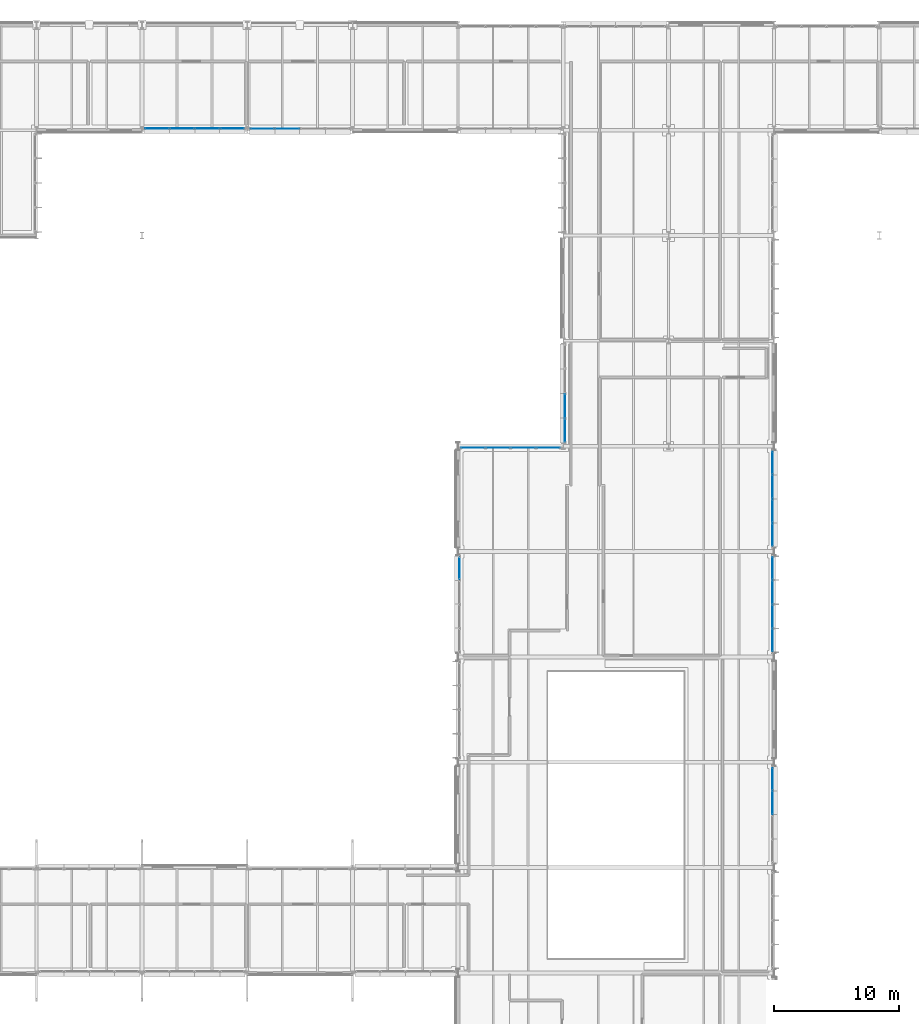
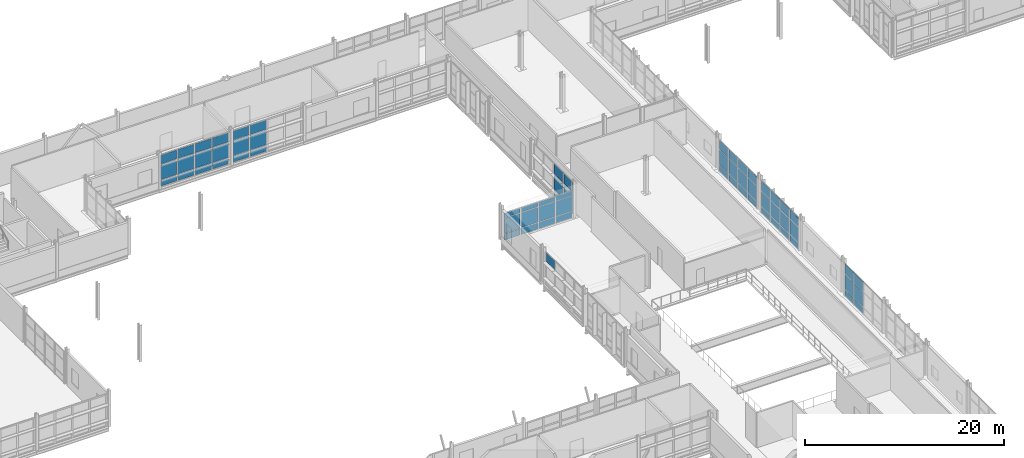
# One storey, part 86 of 129: 67 plates, 8 elements without a shape of their own.
"""IFC4 building model written with IfcOpenShell, lengths in metres."""

from ifc_helpers import new_model, si_unit, direction, frame, origin, origin_2d, place, context, subcontext, project, spatial, rectangle, extrude, material, layer, layer_set, type_object, element, aggregate, save


model = new_model("IFC4")

# Units and contexts
model_context = context("Model", 3, precision=1e-05, world=origin(), true_north=direction((0.0, 1.0)))
body_context = subcontext(model_context, "Body", "Model", "MODEL_VIEW")
ifc_project = project(units=[si_unit("LENGTHUNIT", "METRE"), si_unit("AREAUNIT", "SQUARE_METRE"), si_unit("VOLUMEUNIT", "CUBIC_METRE"), si_unit("PLANEANGLEUNIT", "RADIAN"), si_unit("MASSUNIT", "GRAM", prefix="KILO")], contexts=[model_context])

# Site, building, storey
site_placement = place(None, origin())
site = spatial("IfcSite", under=ifc_project, at=site_placement, CompositionType="ELEMENT")
building_placement = place(site_placement, origin())
building = spatial("IfcBuilding", under=site, at=building_placement, Name="Mersafa Astral City Hall", CompositionType="ELEMENT")
storey_placement = place(building_placement, frame((0.0, 0.0, 5.39990234375)))
storey = spatial("IfcBuildingStorey", under=building, at=storey_placement, Name="L01", CompositionType="ELEMENT", Elevation=5.39990234375)

# Curtain wall, plates
ifc_material_1 = material(Name="Anodised bronze aluminium framing", Category="aluminium")
curtain_wall_type_1 = type_object("IfcCurtainWallType", Name="ENV-CW-3", PredefinedType="USERDEFINED", material=ifc_material_1)
curtain_wall_1_placement = place(storey_placement, origin())
curtain_wall_1 = element("IfcCurtainWall", 1, at=curtain_wall_1_placement, inside=storey, type_object=curtain_wall_type_1, Name="L01 Unitised solar curtain wall 56", ObjectType="UNITISED CURTAIN WALL", PredefinedType="USERDEFINED")
ifc_material_2 = material(Name="Solar control low-e double glazing", Category="glass")
ifc_layer_1 = layer(ifc_material_2, 0.028076171875, Name="Solar control low-e double glazing")
ifc_layer_set_1 = layer_set([ifc_layer_1], Name="Solar control low-e double glazing — ENV-CW-PNL-GLZ-1")
plate_type_1 = type_object("IfcPlateType", Name="ENV-CW-PNL-GLZ-1", PredefinedType="CURTAIN_PANEL", material=ifc_layer_set_1)
plate_1_placement = place(storey_placement, frame((117.47998046875, 76.932861328125, 0.05810546875), z_axis=(0.0, 0.0, 1.0), x_axis=(0.0, 1.0, 0.0)))
plate_1 = element("IfcPlate", 2, at=plate_1_placement, type_object=plate_type_1, Name="CW-3 panel 1.1", PredefinedType="CURTAIN_PANEL", context=body_context, shape_type="SweptSolid", body=[
    extrude(rectangle(XDim=1.75146484375, YDim=0.028076171875, at=origin_2d()), origin(), (0.0, 0.0, 1.0), 0.761962890625),
])
plate_2_placement = place(storey_placement, frame((117.47998046875, 76.932861328125, 0.8798828125), z_axis=(0.0, 0.0, 1.0), x_axis=(0.0, 1.0, 0.0)))
plate_2 = element("IfcPlate", 3, at=plate_2_placement, type_object=plate_type_1, Name="CW-3 panel 1.2", PredefinedType="CURTAIN_PANEL", context=body_context, shape_type="SweptSolid", body=[
    extrude(rectangle(XDim=1.75146484375, YDim=0.028076171875, at=origin_2d()), origin(), (0.0, 0.0, 1.0), 1.840087890625),
])
plate_3_placement = place(storey_placement, frame((117.47998046875, 76.932861328125, 2.780029296875), z_axis=(0.0, 0.0, 1.0), x_axis=(0.0, 1.0, 0.0)))
plate_3 = element("IfcPlate", 4, at=plate_3_placement, type_object=plate_type_1, Name="CW-3 panel 1.3", PredefinedType="CURTAIN_PANEL", context=body_context, shape_type="SweptSolid", body=[
    extrude(rectangle(XDim=1.75146484375, YDim=0.028076171875, at=origin_2d()), origin(), (0.0, 0.0, 1.0), 1.18701171875),
])
plate_4_placement = place(storey_placement, frame((117.47998046875, 78.834228515625, 0.05810546875), z_axis=(0.0, 0.0, 1.0), x_axis=(0.0, 1.0, 0.0)))
plate_4 = element("IfcPlate", 5, at=plate_4_placement, type_object=plate_type_1, Name="CW-3 panel 2.1", PredefinedType="CURTAIN_PANEL", context=body_context, shape_type="SweptSolid", body=[
    extrude(rectangle(XDim=1.8115234375, YDim=0.028076171875, at=origin_2d()), origin(), (0.0, 0.0, 1.0), 0.761962890625),
])
plate_5_placement = place(storey_placement, frame((117.47998046875, 78.834228515625, 0.8798828125), z_axis=(0.0, 0.0, 1.0), x_axis=(0.0, 1.0, 0.0)))
plate_5 = element("IfcPlate", 6, at=plate_5_placement, type_object=plate_type_1, Name="CW-3 panel 2.2", PredefinedType="CURTAIN_PANEL", context=body_context, shape_type="SweptSolid", body=[
    extrude(rectangle(XDim=1.8115234375, YDim=0.028076171875, at=origin_2d()), origin(), (0.0, 0.0, 1.0), 1.840087890625),
])
plate_6_placement = place(storey_placement, frame((117.47998046875, 78.834228515625, 2.780029296875), z_axis=(0.0, 0.0, 1.0), x_axis=(0.0, 1.0, 0.0)))
plate_6 = element("IfcPlate", 7, at=plate_6_placement, type_object=plate_type_1, Name="CW-3 panel 2.3", PredefinedType="CURTAIN_PANEL", context=body_context, shape_type="SweptSolid", body=[
    extrude(rectangle(XDim=1.8115234375, YDim=0.028076171875, at=origin_2d()), origin(), (0.0, 0.0, 1.0), 1.18701171875),
])
plate_7_placement = place(storey_placement, frame((117.47998046875, 80.765869140625, 0.05810546875), z_axis=(0.0, 0.0, 1.0), x_axis=(0.0, 1.0, 0.0)))
plate_7 = element("IfcPlate", 8, at=plate_7_placement, type_object=plate_type_1, Name="CW-3 panel 3.1", PredefinedType="CURTAIN_PANEL", context=body_context, shape_type="SweptSolid", body=[
    extrude(rectangle(XDim=1.8115234375, YDim=0.028076171875, at=origin_2d()), origin(), (0.0, 0.0, 1.0), 0.761962890625),
])
plate_8_placement = place(storey_placement, frame((117.47998046875, 80.765869140625, 0.8798828125), z_axis=(0.0, 0.0, 1.0), x_axis=(0.0, 1.0, 0.0)))
plate_8 = element("IfcPlate", 9, at=plate_8_placement, type_object=plate_type_1, Name="CW-3 panel 3.2", PredefinedType="CURTAIN_PANEL", context=body_context, shape_type="SweptSolid", body=[
    extrude(rectangle(XDim=1.8115234375, YDim=0.028076171875, at=origin_2d()), origin(), (0.0, 0.0, 1.0), 1.840087890625),
])
plate_9_placement = place(storey_placement, frame((117.47998046875, 80.765869140625, 2.780029296875), z_axis=(0.0, 0.0, 1.0), x_axis=(0.0, 1.0, 0.0)))
plate_9 = element("IfcPlate", 10, at=plate_9_placement, type_object=plate_type_1, Name="CW-3 panel 3.3", PredefinedType="CURTAIN_PANEL", context=body_context, shape_type="SweptSolid", body=[
    extrude(rectangle(XDim=1.8115234375, YDim=0.028076171875, at=origin_2d()), origin(), (0.0, 0.0, 1.0), 1.18701171875),
])
plate_10_placement = place(storey_placement, frame((117.47998046875, 82.667236328125, 0.05810546875), z_axis=(0.0, 0.0, 1.0), x_axis=(0.0, 1.0, 0.0)))
plate_10 = element("IfcPlate", 11, at=plate_10_placement, type_object=plate_type_1, Name="CW-3 panel 4.1", PredefinedType="CURTAIN_PANEL", context=body_context, shape_type="SweptSolid", body=[
    extrude(rectangle(XDim=1.75146484375, YDim=0.028076171875, at=origin_2d()), origin(), (0.0, 0.0, 1.0), 0.761962890625),
])
plate_11_placement = place(storey_placement, frame((117.47998046875, 82.667236328125, 0.8798828125), z_axis=(0.0, 0.0, 1.0), x_axis=(0.0, 1.0, 0.0)))
plate_11 = element("IfcPlate", 12, at=plate_11_placement, type_object=plate_type_1, Name="CW-3 panel 4.2", PredefinedType="CURTAIN_PANEL", context=body_context, shape_type="SweptSolid", body=[
    extrude(rectangle(XDim=1.75146484375, YDim=0.028076171875, at=origin_2d()), origin(), (0.0, 0.0, 1.0), 1.840087890625),
])
plate_12_placement = place(storey_placement, frame((117.47998046875, 82.667236328125, 2.780029296875), z_axis=(0.0, 0.0, 1.0), x_axis=(0.0, 1.0, 0.0)))
plate_12 = element("IfcPlate", 13, at=plate_12_placement, type_object=plate_type_1, Name="CW-3 panel 4.3", PredefinedType="CURTAIN_PANEL", context=body_context, shape_type="SweptSolid", body=[
    extrude(rectangle(XDim=1.75146484375, YDim=0.028076171875, at=origin_2d()), origin(), (0.0, 0.0, 1.0), 1.18701171875),
])
aggregate(curtain_wall_1, [plate_1, plate_2, plate_3, plate_4, plate_5, plate_6, plate_7, plate_8, plate_9, plate_10, plate_11, plate_12])

curtain_wall_type_2 = type_object("IfcCurtainWallType", Name="ENV-CW-5", PredefinedType="USERDEFINED", material=ifc_material_1)
curtain_wall_2_placement = place(storey_placement, origin())
curtain_wall_2 = element("IfcCurtainWall", 14, at=curtain_wall_2_placement, inside=storey, type_object=curtain_wall_type_2, Name="L01 Unitised solar curtain wall 88", ObjectType="UNITISED CURTAIN WALL", PredefinedType="USERDEFINED")
plate_13_placement = place(storey_placement, frame((76.801513671875, 117.719970703125, 0.05810546875), z_axis=(0.0, 0.0, 1.0), x_axis=(1.0, 0.0, 0.0)))
plate_13 = element("IfcPlate", 15, at=plate_13_placement, type_object=plate_type_1, Name="CW-5 panel 1.1", PredefinedType="CURTAIN_PANEL", context=body_context, shape_type="SweptSolid", body=[
    extrude(rectangle(XDim=1.839111328125, YDim=0.028076171875, at=origin_2d()), origin(), (0.0, 0.0, 1.0), 0.761962890625),
])
plate_14_placement = place(storey_placement, frame((76.801513671875, 117.719970703125, 0.8798828125), z_axis=(0.0, 0.0, 1.0), x_axis=(1.0, 0.0, 0.0)))
plate_14 = element("IfcPlate", 16, at=plate_14_placement, type_object=plate_type_1, Name="CW-5 panel 1.2", PredefinedType="CURTAIN_PANEL", context=body_context, shape_type="SweptSolid", body=[
    extrude(rectangle(XDim=1.839111328125, YDim=0.028076171875, at=origin_2d()), origin(), (0.0, 0.0, 1.0), 1.840087890625),
])
plate_15_placement = place(storey_placement, frame((76.801513671875, 117.719970703125, 2.780029296875), z_axis=(0.0, 0.0, 1.0), x_axis=(1.0, 0.0, 0.0)))
plate_15 = element("IfcPlate", 17, at=plate_15_placement, type_object=plate_type_1, Name="CW-5 panel 1.3", PredefinedType="CURTAIN_PANEL", context=body_context, shape_type="SweptSolid", body=[
    extrude(rectangle(XDim=1.839111328125, YDim=0.028076171875, at=origin_2d()), origin(), (0.0, 0.0, 1.0), 1.126953125),
])
plate_16_placement = place(storey_placement, frame((78.79052734375, 117.719970703125, 0.05810546875), z_axis=(0.0, 0.0, 1.0), x_axis=(1.0, 0.0, 0.0)))
plate_16 = element("IfcPlate", 18, at=plate_16_placement, type_object=plate_type_1, Name="CW-5 panel 2.1", PredefinedType="CURTAIN_PANEL", context=body_context, shape_type="SweptSolid", body=[
    extrude(rectangle(XDim=1.89892578125, YDim=0.028076171875, at=origin_2d()), origin(), (0.0, 0.0, 1.0), 0.761962890625),
])
plate_17_placement = place(storey_placement, frame((78.79052734375, 117.719970703125, 0.8798828125), z_axis=(0.0, 0.0, 1.0), x_axis=(1.0, 0.0, 0.0)))
plate_17 = element("IfcPlate", 19, at=plate_17_placement, type_object=plate_type_1, Name="CW-5 panel 2.2", PredefinedType="CURTAIN_PANEL", context=body_context, shape_type="SweptSolid", body=[
    extrude(rectangle(XDim=1.89892578125, YDim=0.028076171875, at=origin_2d()), origin(), (0.0, 0.0, 1.0), 1.840087890625),
])
plate_18_placement = place(storey_placement, frame((78.79052734375, 117.719970703125, 2.780029296875), z_axis=(0.0, 0.0, 1.0), x_axis=(1.0, 0.0, 0.0)))
plate_18 = element("IfcPlate", 20, at=plate_18_placement, type_object=plate_type_1, Name="CW-5 panel 2.3", PredefinedType="CURTAIN_PANEL", context=body_context, shape_type="SweptSolid", body=[
    extrude(rectangle(XDim=1.89892578125, YDim=0.028076171875, at=origin_2d()), origin(), (0.0, 0.0, 1.0), 1.126953125),
])
aggregate(curtain_wall_2, [plate_13, plate_14, plate_15, plate_16, plate_17, plate_18])

curtain_wall_3_placement = place(storey_placement, origin())
curtain_wall_3 = element("IfcCurtainWall", 21, at=curtain_wall_3_placement, inside=storey, type_object=curtain_wall_type_1, Name="L01 Unitised solar curtain wall 92", ObjectType="UNITISED CURTAIN WALL", PredefinedType="USERDEFINED")
plate_19_placement = place(storey_placement, frame((99.598388671875, 92.280029296875, 0.05810546875), z_axis=(0.0, 0.0, 1.0), x_axis=(-1.0, 0.0, 0.0)))
plate_19 = element("IfcPlate", 22, at=plate_19_placement, type_object=plate_type_1, Name="CW-3 panel 1.1", PredefinedType="CURTAIN_PANEL", context=body_context, shape_type="SweptSolid", body=[
    extrude(rectangle(XDim=1.839111328125, YDim=0.028076171875, at=origin_2d()), origin(), (0.0, 0.0, 1.0), 0.761962890625),
])
plate_20_placement = place(storey_placement, frame((99.598388671875, 92.280029296875, 0.8798828125), z_axis=(0.0, 0.0, 1.0), x_axis=(-1.0, 0.0, 0.0)))
plate_20 = element("IfcPlate", 23, at=plate_20_placement, type_object=plate_type_1, Name="CW-3 panel 1.2", PredefinedType="CURTAIN_PANEL", context=body_context, shape_type="SweptSolid", body=[
    extrude(rectangle(XDim=1.839111328125, YDim=0.028076171875, at=origin_2d()), origin(), (0.0, 0.0, 1.0), 1.840087890625),
])
plate_21_placement = place(storey_placement, frame((99.598388671875, 92.280029296875, 2.7802734375), z_axis=(0.0, 0.0, 1.0), x_axis=(-1.0, 0.0, 0.0)))
plate_21 = element("IfcPlate", 24, at=plate_21_placement, type_object=plate_type_1, Name="CW-3 panel 1.3", PredefinedType="CURTAIN_PANEL", context=body_context, shape_type="SweptSolid", body=[
    extrude(rectangle(XDim=1.839111328125, YDim=0.028076171875, at=origin_2d()), origin(), (0.0, 0.0, 1.0), 0.556884765625),
])
plate_22_placement = place(storey_placement, frame((97.609619140625, 92.280029296875, 0.05810546875), z_axis=(0.0, 0.0, 1.0), x_axis=(-1.0, 0.0, 0.0)))
plate_22 = element("IfcPlate", 25, at=plate_22_placement, type_object=plate_type_1, Name="CW-3 panel 2.1", PredefinedType="CURTAIN_PANEL", context=body_context, shape_type="SweptSolid", body=[
    extrude(rectangle(XDim=1.89892578125, YDim=0.028076171875, at=origin_2d()), origin(), (0.0, 0.0, 1.0), 0.761962890625),
])
plate_23_placement = place(storey_placement, frame((97.609619140625, 92.280029296875, 0.8798828125), z_axis=(0.0, 0.0, 1.0), x_axis=(-1.0, 0.0, 0.0)))
plate_23 = element("IfcPlate", 26, at=plate_23_placement, type_object=plate_type_1, Name="CW-3 panel 2.2", PredefinedType="CURTAIN_PANEL", context=body_context, shape_type="SweptSolid", body=[
    extrude(rectangle(XDim=1.89892578125, YDim=0.028076171875, at=origin_2d()), origin(), (0.0, 0.0, 1.0), 1.840087890625),
])
plate_24_placement = place(storey_placement, frame((97.609619140625, 92.280029296875, 2.7802734375), z_axis=(0.0, 0.0, 1.0), x_axis=(-1.0, 0.0, 0.0)))
plate_24 = element("IfcPlate", 27, at=plate_24_placement, type_object=plate_type_1, Name="CW-3 panel 2.3", PredefinedType="CURTAIN_PANEL", context=body_context, shape_type="SweptSolid", body=[
    extrude(rectangle(XDim=1.89892578125, YDim=0.028076171875, at=origin_2d()), origin(), (0.0, 0.0, 1.0), 0.556884765625),
])
plate_25_placement = place(storey_placement, frame((95.590576171875, 92.280029296875, 0.05810546875), z_axis=(0.0, 0.0, 1.0), x_axis=(-1.0, 0.0, 0.0)))
plate_25 = element("IfcPlate", 28, at=plate_25_placement, type_object=plate_type_1, Name="CW-3 panel 3.1", PredefinedType="CURTAIN_PANEL", context=body_context, shape_type="SweptSolid", body=[
    extrude(rectangle(XDim=1.89892578125, YDim=0.028076171875, at=origin_2d()), origin(), (0.0, 0.0, 1.0), 0.761962890625),
])
plate_26_placement = place(storey_placement, frame((95.590576171875, 92.280029296875, 0.8798828125), z_axis=(0.0, 0.0, 1.0), x_axis=(-1.0, 0.0, 0.0)))
plate_26 = element("IfcPlate", 29, at=plate_26_placement, type_object=plate_type_1, Name="CW-3 panel 3.2", PredefinedType="CURTAIN_PANEL", context=body_context, shape_type="SweptSolid", body=[
    extrude(rectangle(XDim=1.89892578125, YDim=0.028076171875, at=origin_2d()), origin(), (0.0, 0.0, 1.0), 1.840087890625),
])
plate_27_placement = place(storey_placement, frame((95.590576171875, 92.280029296875, 2.7802734375), z_axis=(0.0, 0.0, 1.0), x_axis=(-1.0, 0.0, 0.0)))
plate_27 = element("IfcPlate", 30, at=plate_27_placement, type_object=plate_type_1, Name="CW-3 panel 3.3", PredefinedType="CURTAIN_PANEL", context=body_context, shape_type="SweptSolid", body=[
    extrude(rectangle(XDim=1.89892578125, YDim=0.028076171875, at=origin_2d()), origin(), (0.0, 0.0, 1.0), 0.556884765625),
])
plate_28_placement = place(storey_placement, frame((93.6015625, 92.280029296875, 0.05810546875), z_axis=(0.0, 0.0, 1.0), x_axis=(-1.0, 0.0, 0.0)))
plate_28 = element("IfcPlate", 31, at=plate_28_placement, type_object=plate_type_1, Name="CW-3 panel 4.1", PredefinedType="CURTAIN_PANEL", context=body_context, shape_type="SweptSolid", body=[
    extrude(rectangle(XDim=1.839111328125, YDim=0.028076171875, at=origin_2d()), origin(), (0.0, 0.0, 1.0), 0.761962890625),
])
plate_29_placement = place(storey_placement, frame((93.6015625, 92.280029296875, 0.8798828125), z_axis=(0.0, 0.0, 1.0), x_axis=(-1.0, 0.0, 0.0)))
plate_29 = element("IfcPlate", 32, at=plate_29_placement, type_object=plate_type_1, Name="CW-3 panel 4.2", PredefinedType="CURTAIN_PANEL", context=body_context, shape_type="SweptSolid", body=[
    extrude(rectangle(XDim=1.839111328125, YDim=0.028076171875, at=origin_2d()), origin(), (0.0, 0.0, 1.0), 1.840087890625),
])
plate_30_placement = place(storey_placement, frame((93.6015625, 92.280029296875, 2.7802734375), z_axis=(0.0, 0.0, 1.0), x_axis=(-1.0, 0.0, 0.0)))
plate_30 = element("IfcPlate", 33, at=plate_30_placement, type_object=plate_type_1, Name="CW-3 panel 4.3", PredefinedType="CURTAIN_PANEL", context=body_context, shape_type="SweptSolid", body=[
    extrude(rectangle(XDim=1.839111328125, YDim=0.028076171875, at=origin_2d()), origin(), (0.0, 0.0, 1.0), 0.556884765625),
])
aggregate(curtain_wall_3, [plate_19, plate_20, plate_21, plate_22, plate_23, plate_24, plate_25, plate_26, plate_27, plate_28, plate_29, plate_30])

curtain_wall_type_3 = type_object("IfcCurtainWallType", Name="ENV-CW-4", PredefinedType="USERDEFINED", material=ifc_material_1)
curtain_wall_4_placement = place(storey_placement, origin())
curtain_wall_4 = element("IfcCurtainWall", 34, at=curtain_wall_4_placement, inside=storey, type_object=curtain_wall_type_3, Name="L01 Unitised solar curtain wall 57", ObjectType="UNITISED CURTAIN WALL", PredefinedType="USERDEFINED")
ifc_layer_2 = layer(ifc_material_2, 0.031982421875, Name="Solar control low-e double glazing")
ifc_layer_set_2 = layer_set([ifc_layer_2], Name="Solar control low-e double glazing — ENV-CW-PNL-GLZ-2")
plate_type_2 = type_object("IfcPlateType", Name="ENV-CW-PNL-GLZ-2", PredefinedType="CURTAIN_PANEL", material=ifc_layer_set_2)
plate_31_placement = place(storey_placement, frame((117.47998046875, 85.332763671875, 0.05810546875), z_axis=(0.0, 0.0, 1.0), x_axis=(0.0, 1.0, 0.0)))
plate_31 = element("IfcPlate", 35, at=plate_31_placement, type_object=plate_type_2, Name="CW-4 panel 1.1", PredefinedType="CURTAIN_PANEL", context=body_context, shape_type="SweptSolid", body=[
    extrude(rectangle(XDim=1.75146484375, YDim=0.031982421875, at=origin_2d()), origin(), (0.0, 0.0, 1.0), 0.761962890625),
])
plate_32_placement = place(storey_placement, frame((117.47998046875, 85.332763671875, 0.8798828125), z_axis=(0.0, 0.0, 1.0), x_axis=(0.0, 1.0, 0.0)))
plate_32 = element("IfcPlate", 36, at=plate_32_placement, type_object=plate_type_2, Name="CW-4 panel 1.2", PredefinedType="CURTAIN_PANEL", context=body_context, shape_type="SweptSolid", body=[
    extrude(rectangle(XDim=1.75146484375, YDim=0.031982421875, at=origin_2d()), origin(), (0.0, 0.0, 1.0), 1.840087890625),
])
plate_33_placement = place(storey_placement, frame((117.47998046875, 85.332763671875, 2.7802734375), z_axis=(0.0, 0.0, 1.0), x_axis=(0.0, 1.0, 0.0)))
plate_33 = element("IfcPlate", 37, at=plate_33_placement, type_object=plate_type_2, Name="CW-4 panel 1.3", PredefinedType="CURTAIN_PANEL", context=body_context, shape_type="SweptSolid", body=[
    extrude(rectangle(XDim=1.75146484375, YDim=0.031982421875, at=origin_2d()), origin(), (0.0, 0.0, 1.0), 1.096923828125),
])
plate_34_placement = place(storey_placement, frame((117.47998046875, 87.234130859375, 0.05810546875), z_axis=(0.0, 0.0, 1.0), x_axis=(0.0, 1.0, 0.0)))
plate_34 = element("IfcPlate", 38, at=plate_34_placement, type_object=plate_type_2, Name="CW-4 panel 2.1", PredefinedType="CURTAIN_PANEL", context=body_context, shape_type="SweptSolid", body=[
    extrude(rectangle(XDim=1.8115234375, YDim=0.031982421875, at=origin_2d()), origin(), (0.0, 0.0, 1.0), 0.761962890625),
])
plate_35_placement = place(storey_placement, frame((117.47998046875, 87.234130859375, 0.8798828125), z_axis=(0.0, 0.0, 1.0), x_axis=(0.0, 1.0, 0.0)))
plate_35 = element("IfcPlate", 39, at=plate_35_placement, type_object=plate_type_2, Name="CW-4 panel 2.2", PredefinedType="CURTAIN_PANEL", context=body_context, shape_type="SweptSolid", body=[
    extrude(rectangle(XDim=1.8115234375, YDim=0.031982421875, at=origin_2d()), origin(), (0.0, 0.0, 1.0), 1.840087890625),
])
plate_36_placement = place(storey_placement, frame((117.47998046875, 87.234130859375, 2.7802734375), z_axis=(0.0, 0.0, 1.0), x_axis=(0.0, 1.0, 0.0)))
plate_36 = element("IfcPlate", 40, at=plate_36_placement, type_object=plate_type_2, Name="CW-4 panel 2.3", PredefinedType="CURTAIN_PANEL", context=body_context, shape_type="SweptSolid", body=[
    extrude(rectangle(XDim=1.8115234375, YDim=0.031982421875, at=origin_2d()), origin(), (0.0, 0.0, 1.0), 1.096923828125),
])
plate_37_placement = place(storey_placement, frame((117.47998046875, 89.165771484375, 0.05810546875), z_axis=(0.0, 0.0, 1.0), x_axis=(0.0, 1.0, 0.0)))
plate_37 = element("IfcPlate", 41, at=plate_37_placement, type_object=plate_type_2, Name="CW-4 panel 3.1", PredefinedType="CURTAIN_PANEL", context=body_context, shape_type="SweptSolid", body=[
    extrude(rectangle(XDim=1.8115234375, YDim=0.031982421875, at=origin_2d()), origin(), (0.0, 0.0, 1.0), 0.761962890625),
])
plate_38_placement = place(storey_placement, frame((117.47998046875, 89.165771484375, 0.8798828125), z_axis=(0.0, 0.0, 1.0), x_axis=(0.0, 1.0, 0.0)))
plate_38 = element("IfcPlate", 42, at=plate_38_placement, type_object=plate_type_2, Name="CW-4 panel 3.2", PredefinedType="CURTAIN_PANEL", context=body_context, shape_type="SweptSolid", body=[
    extrude(rectangle(XDim=1.8115234375, YDim=0.031982421875, at=origin_2d()), origin(), (0.0, 0.0, 1.0), 1.840087890625),
])
plate_39_placement = place(storey_placement, frame((117.47998046875, 89.165771484375, 2.7802734375), z_axis=(0.0, 0.0, 1.0), x_axis=(0.0, 1.0, 0.0)))
plate_39 = element("IfcPlate", 43, at=plate_39_placement, type_object=plate_type_2, Name="CW-4 panel 3.3", PredefinedType="CURTAIN_PANEL", context=body_context, shape_type="SweptSolid", body=[
    extrude(rectangle(XDim=1.8115234375, YDim=0.031982421875, at=origin_2d()), origin(), (0.0, 0.0, 1.0), 1.096923828125),
])
plate_40_placement = place(storey_placement, frame((117.47998046875, 91.067138671875, 0.05810546875), z_axis=(0.0, 0.0, 1.0), x_axis=(0.0, 1.0, 0.0)))
plate_40 = element("IfcPlate", 44, at=plate_40_placement, type_object=plate_type_2, Name="CW-4 panel 4.1", PredefinedType="CURTAIN_PANEL", context=body_context, shape_type="SweptSolid", body=[
    extrude(rectangle(XDim=1.75146484375, YDim=0.031982421875, at=origin_2d()), origin(), (0.0, 0.0, 1.0), 0.761962890625),
])
plate_41_placement = place(storey_placement, frame((117.47998046875, 91.067138671875, 0.8798828125), z_axis=(0.0, 0.0, 1.0), x_axis=(0.0, 1.0, 0.0)))
plate_41 = element("IfcPlate", 45, at=plate_41_placement, type_object=plate_type_2, Name="CW-4 panel 4.2", PredefinedType="CURTAIN_PANEL", context=body_context, shape_type="SweptSolid", body=[
    extrude(rectangle(XDim=1.75146484375, YDim=0.031982421875, at=origin_2d()), origin(), (0.0, 0.0, 1.0), 1.840087890625),
])
plate_42_placement = place(storey_placement, frame((117.47998046875, 91.067138671875, 2.7802734375), z_axis=(0.0, 0.0, 1.0), x_axis=(0.0, 1.0, 0.0)))
plate_42 = element("IfcPlate", 46, at=plate_42_placement, type_object=plate_type_2, Name="CW-4 panel 4.3", PredefinedType="CURTAIN_PANEL", context=body_context, shape_type="SweptSolid", body=[
    extrude(rectangle(XDim=1.75146484375, YDim=0.031982421875, at=origin_2d()), origin(), (0.0, 0.0, 1.0), 1.096923828125),
])
aggregate(curtain_wall_4, [plate_31, plate_32, plate_33, plate_34, plate_35, plate_36, plate_37, plate_38, plate_39, plate_40, plate_41, plate_42])

# Curtain wall, plate
curtain_wall_5_placement = place(storey_placement, origin())
curtain_wall_5 = element("IfcCurtainWall", 47, at=curtain_wall_5_placement, inside=storey, type_object=curtain_wall_type_3, Name="L01 Unitised solar curtain wall 93", ObjectType="UNITISED CURTAIN WALL", PredefinedType="USERDEFINED")
plate_43_placement = place(storey_placement, frame((92.52001953125, 82.667236328125, 2.7802734375), z_axis=(0.0, 0.0, 1.0), x_axis=(0.0, -1.0, 0.0)))
plate_43 = element("IfcPlate", 48, at=plate_43_placement, type_object=plate_type_2, Name="CW-4 panel 1.3", PredefinedType="CURTAIN_PANEL", context=body_context, shape_type="SweptSolid", body=[
    extrude(rectangle(XDim=1.75146484375, YDim=0.031982421875, at=origin_2d()), origin(), (0.0, 0.0, 1.0), 1.096923828125),
])
aggregate(curtain_wall_5, [plate_43])

# Curtain wall, plates
curtain_wall_type_4 = type_object("IfcCurtainWallType", Name="ENV-CW-2", PredefinedType="USERDEFINED", material=ifc_material_1)
curtain_wall_6_placement = place(storey_placement, origin())
curtain_wall_6 = element("IfcCurtainWall", 49, at=curtain_wall_6_placement, inside=storey, type_object=curtain_wall_type_4, Name="L01 Unitised solar curtain wall 55", ObjectType="UNITISED CURTAIN WALL", PredefinedType="USERDEFINED")
ifc_layer_3 = layer(ifc_material_2, 0.0400390625, Name="Solar control low-e double glazing")
ifc_layer_set_3 = layer_set([ifc_layer_3], Name="Solar control low-e double glazing — ENV-CW-PNL-GLZ-4")
plate_type_3 = type_object("IfcPlateType", Name="ENV-CW-PNL-GLZ-4", PredefinedType="CURTAIN_PANEL", material=ifc_layer_set_3)
plate_44_placement = place(storey_placement, frame((117.47998046875, 63.9658203125, 0.05810546875), z_axis=(0.0, 0.0, 1.0), x_axis=(0.0, 1.0, 0.0)))
plate_44 = element("IfcPlate", 50, at=plate_44_placement, type_object=plate_type_3, Name="CW-2 panel 3.1", PredefinedType="CURTAIN_PANEL", context=body_context, shape_type="SweptSolid", body=[
    extrude(rectangle(XDim=1.8115234375, YDim=0.0400390625, at=origin_2d()), origin(), (0.0, 0.0, 1.0), 0.761962890625),
])
plate_45_placement = place(storey_placement, frame((117.47998046875, 63.9658203125, 0.8798828125), z_axis=(0.0, 0.0, 1.0), x_axis=(0.0, 1.0, 0.0)))
plate_45 = element("IfcPlate", 51, at=plate_45_placement, type_object=plate_type_3, Name="CW-2 panel 3.2", PredefinedType="CURTAIN_PANEL", context=body_context, shape_type="SweptSolid", body=[
    extrude(rectangle(XDim=1.8115234375, YDim=0.0400390625, at=origin_2d()), origin(), (0.0, 0.0, 1.0), 1.840087890625),
])
plate_46_placement = place(storey_placement, frame((117.47998046875, 63.9658203125, 2.780029296875), z_axis=(0.0, 0.0, 1.0), x_axis=(0.0, 1.0, 0.0)))
plate_46 = element("IfcPlate", 52, at=plate_46_placement, type_object=plate_type_3, Name="CW-2 panel 3.3", PredefinedType="CURTAIN_PANEL", context=body_context, shape_type="SweptSolid", body=[
    extrude(rectangle(XDim=1.8115234375, YDim=0.0400390625, at=origin_2d()), origin(), (0.0, 0.0, 1.0), 1.18701171875),
])
plate_47_placement = place(storey_placement, frame((117.47998046875, 65.8671875, 0.05810546875), z_axis=(0.0, 0.0, 1.0), x_axis=(0.0, 1.0, 0.0)))
plate_47 = element("IfcPlate", 53, at=plate_47_placement, type_object=plate_type_3, Name="CW-2 panel 4.1", PredefinedType="CURTAIN_PANEL", context=body_context, shape_type="SweptSolid", body=[
    extrude(rectangle(XDim=1.75146484375, YDim=0.0400390625, at=origin_2d()), origin(), (0.0, 0.0, 1.0), 0.761962890625),
])
plate_48_placement = place(storey_placement, frame((117.47998046875, 65.8671875, 0.8798828125), z_axis=(0.0, 0.0, 1.0), x_axis=(0.0, 1.0, 0.0)))
plate_48 = element("IfcPlate", 54, at=plate_48_placement, type_object=plate_type_3, Name="CW-2 panel 4.2", PredefinedType="CURTAIN_PANEL", context=body_context, shape_type="SweptSolid", body=[
    extrude(rectangle(XDim=1.75146484375, YDim=0.0400390625, at=origin_2d()), origin(), (0.0, 0.0, 1.0), 1.840087890625),
])
plate_49_placement = place(storey_placement, frame((117.47998046875, 65.8671875, 2.780029296875), z_axis=(0.0, 0.0, 1.0), x_axis=(0.0, 1.0, 0.0)))
plate_49 = element("IfcPlate", 55, at=plate_49_placement, type_object=plate_type_3, Name="CW-2 panel 4.3", PredefinedType="CURTAIN_PANEL", context=body_context, shape_type="SweptSolid", body=[
    extrude(rectangle(XDim=1.75146484375, YDim=0.0400390625, at=origin_2d()), origin(), (0.0, 0.0, 1.0), 1.18701171875),
])
aggregate(curtain_wall_6, [plate_44, plate_45, plate_46, plate_47, plate_48, plate_49])

curtain_wall_7_placement = place(storey_placement, origin())
curtain_wall_7 = element("IfcCurtainWall", 56, at=curtain_wall_7_placement, inside=storey, type_object=curtain_wall_type_3, Name="L01 Unitised solar curtain wall 87", ObjectType="UNITISED CURTAIN WALL", PredefinedType="USERDEFINED")
plate_50_placement = place(storey_placement, frame((68.401611328125, 117.719970703125, 0.05810546875), z_axis=(0.0, 0.0, 1.0), x_axis=(1.0, 0.0, 0.0)))
plate_50 = element("IfcPlate", 57, at=plate_50_placement, type_object=plate_type_3, Name="CW-4 panel 1.1", PredefinedType="CURTAIN_PANEL", context=body_context, shape_type="SweptSolid", body=[
    extrude(rectangle(XDim=1.839111328125, YDim=0.0400390625, at=origin_2d()), origin(), (0.0, 0.0, 1.0), 0.761962890625),
])
plate_51_placement = place(storey_placement, frame((68.401611328125, 117.719970703125, 0.8798828125), z_axis=(0.0, 0.0, 1.0), x_axis=(1.0, 0.0, 0.0)))
plate_51 = element("IfcPlate", 58, at=plate_51_placement, type_object=plate_type_3, Name="CW-4 panel 1.2", PredefinedType="CURTAIN_PANEL", context=body_context, shape_type="SweptSolid", body=[
    extrude(rectangle(XDim=1.839111328125, YDim=0.0400390625, at=origin_2d()), origin(), (0.0, 0.0, 1.0), 1.840087890625),
])
plate_52_placement = place(storey_placement, frame((68.401611328125, 117.719970703125, 2.7802734375), z_axis=(0.0, 0.0, 1.0), x_axis=(1.0, 0.0, 0.0)))
plate_52 = element("IfcPlate", 59, at=plate_52_placement, type_object=plate_type_3, Name="CW-4 panel 1.3", PredefinedType="CURTAIN_PANEL", context=body_context, shape_type="SweptSolid", body=[
    extrude(rectangle(XDim=1.839111328125, YDim=0.0400390625, at=origin_2d()), origin(), (0.0, 0.0, 1.0), 1.096923828125),
])
plate_53_placement = place(storey_placement, frame((70.390380859375, 117.719970703125, 0.05810546875), z_axis=(0.0, 0.0, 1.0), x_axis=(1.0, 0.0, 0.0)))
plate_53 = element("IfcPlate", 60, at=plate_53_placement, type_object=plate_type_3, Name="CW-4 panel 2.1", PredefinedType="CURTAIN_PANEL", context=body_context, shape_type="SweptSolid", body=[
    extrude(rectangle(XDim=1.89892578125, YDim=0.0400390625, at=origin_2d()), origin(), (0.0, 0.0, 1.0), 0.761962890625),
])
plate_54_placement = place(storey_placement, frame((70.390380859375, 117.719970703125, 0.8798828125), z_axis=(0.0, 0.0, 1.0), x_axis=(1.0, 0.0, 0.0)))
plate_54 = element("IfcPlate", 61, at=plate_54_placement, type_object=plate_type_3, Name="CW-4 panel 2.2", PredefinedType="CURTAIN_PANEL", context=body_context, shape_type="SweptSolid", body=[
    extrude(rectangle(XDim=1.89892578125, YDim=0.0400390625, at=origin_2d()), origin(), (0.0, 0.0, 1.0), 1.840087890625),
])
plate_55_placement = place(storey_placement, frame((70.390380859375, 117.719970703125, 2.7802734375), z_axis=(0.0, 0.0, 1.0), x_axis=(1.0, 0.0, 0.0)))
plate_55 = element("IfcPlate", 62, at=plate_55_placement, type_object=plate_type_3, Name="CW-4 panel 2.3", PredefinedType="CURTAIN_PANEL", context=body_context, shape_type="SweptSolid", body=[
    extrude(rectangle(XDim=1.89892578125, YDim=0.0400390625, at=origin_2d()), origin(), (0.0, 0.0, 1.0), 1.096923828125),
])
plate_56_placement = place(storey_placement, frame((72.409423828125, 117.719970703125, 0.05810546875), z_axis=(0.0, 0.0, 1.0), x_axis=(1.0, 0.0, 0.0)))
plate_56 = element("IfcPlate", 63, at=plate_56_placement, type_object=plate_type_3, Name="CW-4 panel 3.1", PredefinedType="CURTAIN_PANEL", context=body_context, shape_type="SweptSolid", body=[
    extrude(rectangle(XDim=1.89892578125, YDim=0.0400390625, at=origin_2d()), origin(), (0.0, 0.0, 1.0), 0.761962890625),
])
plate_57_placement = place(storey_placement, frame((72.409423828125, 117.719970703125, 0.8798828125), z_axis=(0.0, 0.0, 1.0), x_axis=(1.0, 0.0, 0.0)))
plate_57 = element("IfcPlate", 64, at=plate_57_placement, type_object=plate_type_3, Name="CW-4 panel 3.2", PredefinedType="CURTAIN_PANEL", context=body_context, shape_type="SweptSolid", body=[
    extrude(rectangle(XDim=1.89892578125, YDim=0.0400390625, at=origin_2d()), origin(), (0.0, 0.0, 1.0), 1.840087890625),
])
plate_58_placement = place(storey_placement, frame((72.409423828125, 117.719970703125, 2.7802734375), z_axis=(0.0, 0.0, 1.0), x_axis=(1.0, 0.0, 0.0)))
plate_58 = element("IfcPlate", 65, at=plate_58_placement, type_object=plate_type_3, Name="CW-4 panel 3.3", PredefinedType="CURTAIN_PANEL", context=body_context, shape_type="SweptSolid", body=[
    extrude(rectangle(XDim=1.89892578125, YDim=0.0400390625, at=origin_2d()), origin(), (0.0, 0.0, 1.0), 1.096923828125),
])
plate_59_placement = place(storey_placement, frame((74.3984375, 117.719970703125, 0.05810546875), z_axis=(0.0, 0.0, 1.0), x_axis=(1.0, 0.0, 0.0)))
plate_59 = element("IfcPlate", 66, at=plate_59_placement, type_object=plate_type_3, Name="CW-4 panel 4.1", PredefinedType="CURTAIN_PANEL", context=body_context, shape_type="SweptSolid", body=[
    extrude(rectangle(XDim=1.839111328125, YDim=0.0400390625, at=origin_2d()), origin(), (0.0, 0.0, 1.0), 0.761962890625),
])
plate_60_placement = place(storey_placement, frame((74.3984375, 117.719970703125, 0.8798828125), z_axis=(0.0, 0.0, 1.0), x_axis=(1.0, 0.0, 0.0)))
plate_60 = element("IfcPlate", 67, at=plate_60_placement, type_object=plate_type_3, Name="CW-4 panel 4.2", PredefinedType="CURTAIN_PANEL", context=body_context, shape_type="SweptSolid", body=[
    extrude(rectangle(XDim=1.839111328125, YDim=0.0400390625, at=origin_2d()), origin(), (0.0, 0.0, 1.0), 1.840087890625),
])
plate_61_placement = place(storey_placement, frame((74.3984375, 117.719970703125, 2.7802734375), z_axis=(0.0, 0.0, 1.0), x_axis=(1.0, 0.0, 0.0)))
plate_61 = element("IfcPlate", 68, at=plate_61_placement, type_object=plate_type_3, Name="CW-4 panel 4.3", PredefinedType="CURTAIN_PANEL", context=body_context, shape_type="SweptSolid", body=[
    extrude(rectangle(XDim=1.839111328125, YDim=0.0400390625, at=origin_2d()), origin(), (0.0, 0.0, 1.0), 1.096923828125),
])
aggregate(curtain_wall_7, [plate_50, plate_51, plate_52, plate_53, plate_54, plate_55, plate_56, plate_57, plate_58, plate_59, plate_60, plate_61])

curtain_wall_8_placement = place(storey_placement, origin())
curtain_wall_8 = element("IfcCurtainWall", 69, at=curtain_wall_8_placement, inside=storey, type_object=curtain_wall_type_4, Name="L01 Unitised solar curtain wall 91", ObjectType="UNITISED CURTAIN WALL", PredefinedType="USERDEFINED")
plate_62_placement = place(storey_placement, frame((100.919921875, 95.609130859375, 0.05810546875), z_axis=(0.0, 0.0, 1.0), x_axis=(0.0, -1.0, 0.0)))
plate_62 = element("IfcPlate", 70, at=plate_62_placement, type_object=plate_type_3, Name="CW-2 panel 3.1", PredefinedType="CURTAIN_PANEL", context=body_context, shape_type="SweptSolid", body=[
    extrude(rectangle(XDim=1.861572265625, YDim=0.0400390625, at=origin_2d()), origin(), (0.0, 0.0, 1.0), 0.761962890625),
])
plate_63_placement = place(storey_placement, frame((100.919921875, 95.609130859375, 0.8798828125), z_axis=(0.0, 0.0, 1.0), x_axis=(0.0, -1.0, 0.0)))
plate_63 = element("IfcPlate", 71, at=plate_63_placement, type_object=plate_type_3, Name="CW-2 panel 3.2", PredefinedType="CURTAIN_PANEL", context=body_context, shape_type="SweptSolid", body=[
    extrude(rectangle(XDim=1.861572265625, YDim=0.0400390625, at=origin_2d()), origin(), (0.0, 0.0, 1.0), 1.840087890625),
])
plate_64_placement = place(storey_placement, frame((100.919921875, 95.609130859375, 2.780029296875), z_axis=(0.0, 0.0, 1.0), x_axis=(0.0, -1.0, 0.0)))
plate_64 = element("IfcPlate", 72, at=plate_64_placement, type_object=plate_type_3, Name="CW-2 panel 3.3", PredefinedType="CURTAIN_PANEL", context=body_context, shape_type="SweptSolid", body=[
    extrude(rectangle(XDim=1.861572265625, YDim=0.0400390625, at=origin_2d()), origin(), (0.0, 0.0, 1.0), 1.18701171875),
])
plate_65_placement = place(storey_placement, frame((100.919921875, 93.65771484375, 0.05810546875), z_axis=(0.0, 0.0, 1.0), x_axis=(0.0, -1.0, 0.0)))
plate_65 = element("IfcPlate", 73, at=plate_65_placement, type_object=plate_type_3, Name="CW-2 panel 4.1", PredefinedType="CURTAIN_PANEL", context=body_context, shape_type="SweptSolid", body=[
    extrude(rectangle(XDim=1.801513671875, YDim=0.0400390625, at=origin_2d()), origin(), (0.0, 0.0, 1.0), 0.761962890625),
])
plate_66_placement = place(storey_placement, frame((100.919921875, 93.65771484375, 0.8798828125), z_axis=(0.0, 0.0, 1.0), x_axis=(0.0, -1.0, 0.0)))
plate_66 = element("IfcPlate", 74, at=plate_66_placement, type_object=plate_type_3, Name="CW-2 panel 4.2", PredefinedType="CURTAIN_PANEL", context=body_context, shape_type="SweptSolid", body=[
    extrude(rectangle(XDim=1.801513671875, YDim=0.0400390625, at=origin_2d()), origin(), (0.0, 0.0, 1.0), 1.840087890625),
])
plate_67_placement = place(storey_placement, frame((100.919921875, 93.65771484375, 2.780029296875), z_axis=(0.0, 0.0, 1.0), x_axis=(0.0, -1.0, 0.0)))
plate_67 = element("IfcPlate", 75, at=plate_67_placement, type_object=plate_type_3, Name="CW-2 panel 4.3", PredefinedType="CURTAIN_PANEL", context=body_context, shape_type="SweptSolid", body=[
    extrude(rectangle(XDim=1.801513671875, YDim=0.0400390625, at=origin_2d()), origin(), (0.0, 0.0, 1.0), 1.18701171875),
])
aggregate(curtain_wall_8, [plate_62, plate_63, plate_64, plate_65, plate_66, plate_67])

save(model, "model.ifc")
